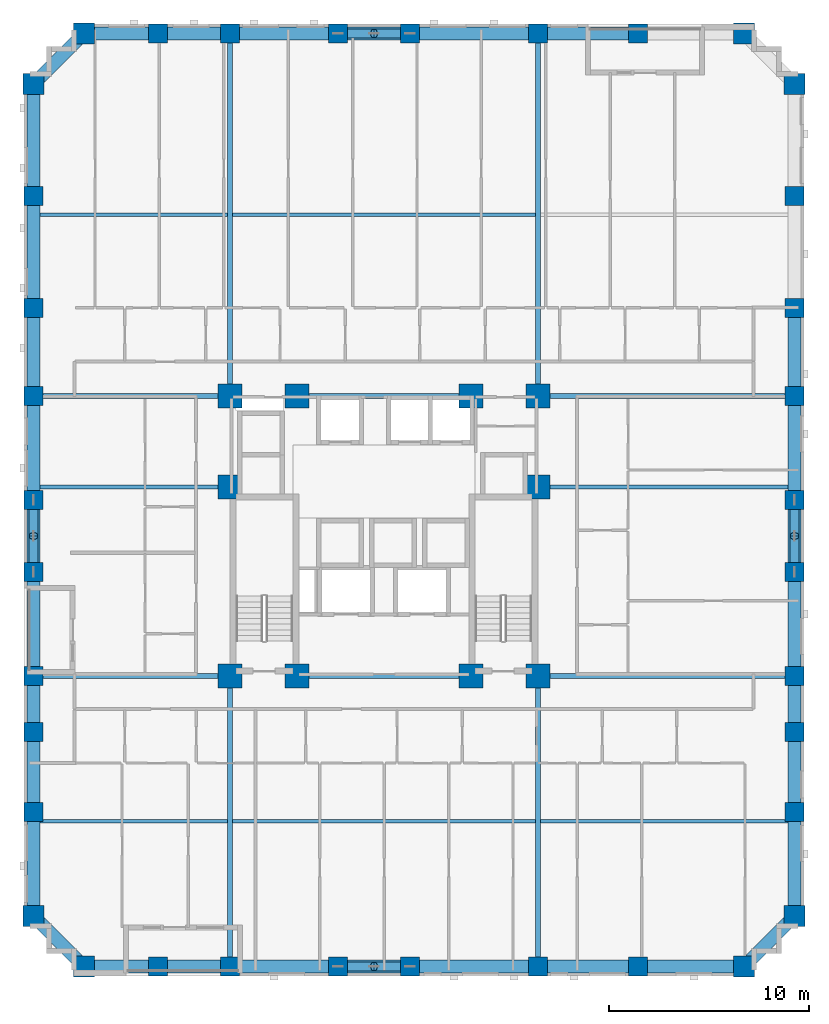
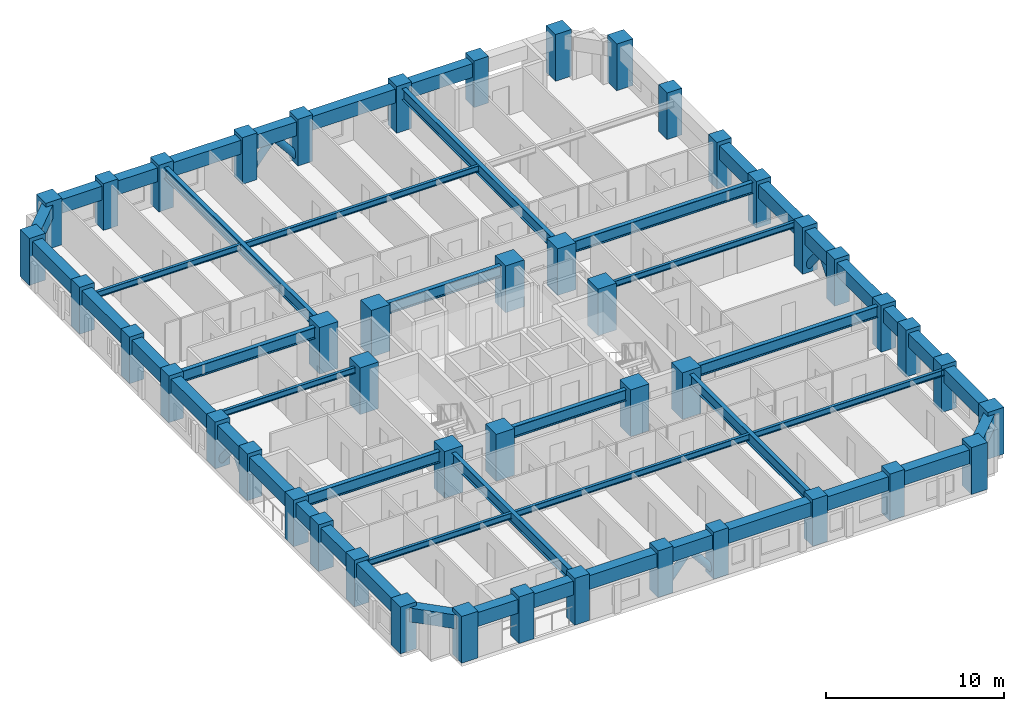
# One storey, part 1 of 14: 49 beams, 46 columns, 8 members.
"""IFC4 building model written with IfcOpenShell, lengths in metres."""

from ifc_helpers import new_model, si_unit, derived_unit, direction, frame, origin, origin_2d, place, context, subcontext, project, spatial, rectangle, hollow_circle, i_section, extrude, material, material_profile, profile_set, type_object, element, save


model = new_model("IFC4")

# Units and contexts
model_context = context("Model", 3, precision=1e-05, world=origin(), true_north=direction((0.0, 1.0)))
body_context = subcontext(model_context, "Body", "Model", "MODEL_VIEW")
ifc_project = project(units=[si_unit("LENGTHUNIT", "METRE"), si_unit("AREAUNIT", "SQUARE_METRE"), si_unit("VOLUMEUNIT", "CUBIC_METRE"), si_unit("PLANEANGLEUNIT", "RADIAN"), si_unit("MASSUNIT", "GRAM", prefix="KILO"), derived_unit("THERMALTRANSMITTANCEUNIT", [(si_unit("MASSUNIT", "GRAM", prefix="KILO"), 1), (si_unit("TIMEUNIT", "SECOND"), -3), (si_unit("THERMODYNAMICTEMPERATUREUNIT", "KELVIN"), -1)])], contexts=[model_context])

# Site, building, storey
site_placement = place(None, origin())
site = spatial("IfcSite", under=ifc_project, at=site_placement, CompositionType="ELEMENT")
building_placement = place(site_placement, origin())
building = spatial("IfcBuilding", under=site, at=building_placement, Name="Korrvale Station Residences", CompositionType="ELEMENT")
storey_placement = place(building_placement, frame((0.0, 0.0, 41.800048828125)))
storey = spatial("IfcBuildingStorey", under=building, at=storey_placement, Name="L10", CompositionType="ELEMENT", Elevation=41.800048828125)

# Columns
ifc_material_1 = material(Name="Concrete C70/85", Category="concrete")
ifc_material_profile_1 = material_profile(ifc_material_1, rectangle(XDim=1.050048828125, YDim=1.050048828125, at=origin_2d()), Name="RC1050x1050")
ifc_profile_set_1 = profile_set([ifc_material_profile_1], Name="Concrete C70/85")
column_type_1 = type_object("IfcColumnType", Name="COL-C-RC1050x1050-C7085", PredefinedType="COLUMN", material=ifc_profile_set_1)
for number, where, z_axis, x_axis, name in (
    (1, (10.5, 0.47998046875, 0.0), (0.0, 0.0, 1.0), (1.0, 0.0, 0.0), "L10 Bundled-Tube South Column 01"),
    (2, (43.5, 0.47998046875, 0.0), (0.0, 0.0, 1.0), (1.0, 0.0, 0.0), "L10 Bundled-Tube South Column 08"),
    (3, (10.5, 47.1201171875, 0.0), (0.0, 0.0, 1.0), (1.0, 0.0, 0.0), "L10 Bundled-Tube North Column 09"),
    (4, (43.5, 47.1201171875, 0.0), (0.0, 0.0, 1.0), (1.0, 0.0, 0.0), "L10 Bundled-Tube North Column 16"),
    (5, (7.97998046875, 3.0, 0.0), (0.0, 0.0, 1.0), (1.0, 0.0, 0.0), "L10 Bundled-Tube West Column 17"),
    (6, (7.97998046875, 44.60009765625, 0.0), (0.0, 0.0, 1.0), (1.0, 0.0, 0.0), "L10 Bundled-Tube West Column 26"),
    (7, (46.02001953125, 3.0, 0.0), (0.0, 0.0, 1.0), (1.0, 0.0, 0.0), "L10 Bundled-Tube East Column 27"),
    (8, (46.02001953125, 44.60009765625, 0.0), (0.0, 0.0, 1.0), (1.0, 0.0, 0.0), "L10 Bundled-Tube East Column 36"),
):
    element("IfcColumn", number, at=place(storey_placement, frame(where, z_axis=z_axis, x_axis=x_axis)), inside=storey, type_object=column_type_1, Name=name, PredefinedType="COLUMN", context=body_context, shape_type="SweptSolid", body=[
        extrude(rectangle(XDim=1.050048828125, YDim=1.050048828125, at=origin_2d()), origin(), (0.0, 0.0, 1.0), 3.199951171875),
    ])
ifc_material_profile_2 = material_profile(ifc_material_1, rectangle(XDim=1.199951171875, YDim=1.199951171875, at=origin_2d()), Name="RC1200x1200")
ifc_profile_set_2 = profile_set([ifc_material_profile_2], Name="Concrete C70/85")
column_type_2 = type_object("IfcColumnType", Name="COL-C-RC1200x1200-C7085", PredefinedType="COLUMN", material=ifc_profile_set_2)
for number, where, z_axis, x_axis, name in (
    (9, (17.800048828125, 15.0, 0.0), (0.0, 0.0, 1.0), (1.0, 0.0, 0.0), "L10 Core Column 01"),
    (10, (21.14990234375, 15.0, 0.0), (0.0, 0.0, 1.0), (1.0, 0.0, 0.0), "L10 Core Column 02"),
    (11, (29.85009765625, 15.0, 0.0), (0.0, 0.0, 1.0), (1.0, 0.0, 0.0), "L10 Core Column 03"),
    (12, (33.199951171875, 15.0, 0.0), (0.0, 0.0, 1.0), (1.0, 0.0, 0.0), "L10 Core Column 04"),
    (13, (17.800048828125, 29.0, 0.0), (0.0, 0.0, 1.0), (1.0, 0.0, 0.0), "L10 Core Column 05"),
    (14, (21.14990234375, 29.0, 0.0), (0.0, 0.0, 1.0), (1.0, 0.0, 0.0), "L10 Core Column 06"),
    (15, (29.85009765625, 29.0, 0.0), (0.0, 0.0, 1.0), (1.0, 0.0, 0.0), "L10 Core Column 07"),
    (16, (33.199951171875, 29.0, 0.0), (0.0, 0.0, 1.0), (1.0, 0.0, 0.0), "L10 Core Column 08"),
    (17, (17.800048828125, 24.449951171875, 0.0), (0.0, 0.0, 1.0), (1.0, 0.0, 0.0), "L10 Core Column 09"),
    (18, (33.199951171875, 24.449951171875, 0.0), (0.0, 0.0, 1.0), (1.0, 0.0, 0.0), "L10 Core Column 10"),
):
    element("IfcColumn", number, at=place(storey_placement, frame(where, z_axis=z_axis, x_axis=x_axis)), inside=storey, type_object=column_type_2, Name=name, PredefinedType="COLUMN", context=body_context, shape_type="SweptSolid", body=[
        extrude(rectangle(XDim=1.199951171875, YDim=1.199951171875, at=origin_2d()), origin(), (0.0, 0.0, 1.0), 3.199951171875),
    ])
ifc_material_profile_3 = material_profile(ifc_material_1, rectangle(XDim=0.949951171875, YDim=0.949951171875, at=origin_2d()), Name="RC950x950")
ifc_profile_set_3 = profile_set([ifc_material_profile_3], Name="Concrete C70/85")
column_type_3 = type_object("IfcColumnType", Name="COL-C-RC950x950-C7085", PredefinedType="COLUMN", material=ifc_profile_set_3)
for number, where, z_axis, x_axis, name in (
    (19, (14.199951171875, 0.47998046875, 0.0), (0.0, 0.0, 1.0), (1.0, 0.0, 0.0), "L10 Bundled-Tube South Column 02"),
    (20, (17.800048828125, 0.47998046875, 0.0), (0.0, 0.0, 1.0), (1.0, 0.0, 0.0), "L10 Bundled-Tube South Column 03"),
    (21, (23.199951171875, 0.47998046875, 0.0), (0.0, 0.0, 1.0), (1.0, 0.0, 0.0), "L10 Bundled-Tube South Column 04"),
    (22, (26.800048828125, 0.47998046875, 0.0), (0.0, 0.0, 1.0), (1.0, 0.0, 0.0), "L10 Bundled-Tube South Column 05"),
    (23, (33.199951171875, 0.47998046875, 0.0), (0.0, 0.0, 1.0), (1.0, 0.0, 0.0), "L10 Bundled-Tube South Column 06"),
    (24, (38.199951171875, 0.47998046875, 0.0), (0.0, 0.0, 1.0), (1.0, 0.0, 0.0), "L10 Bundled-Tube South Column 07"),
    (25, (14.199951171875, 47.1201171875, 0.0), (0.0, 0.0, 1.0), (1.0, 0.0, 0.0), "L10 Bundled-Tube North Column 10"),
    (26, (17.800048828125, 47.1201171875, 0.0), (0.0, 0.0, 1.0), (1.0, 0.0, 0.0), "L10 Bundled-Tube North Column 11"),
    (27, (23.199951171875, 47.1201171875, 0.0), (0.0, 0.0, 1.0), (1.0, 0.0, 0.0), "L10 Bundled-Tube North Column 12"),
    (28, (26.800048828125, 47.1201171875, 0.0), (0.0, 0.0, 1.0), (1.0, 0.0, 0.0), "L10 Bundled-Tube North Column 13"),
    (29, (33.199951171875, 47.1201171875, 0.0), (0.0, 0.0, 1.0), (1.0, 0.0, 0.0), "L10 Bundled-Tube North Column 14"),
    (30, (38.199951171875, 47.1201171875, 0.0), (0.0, 0.0, 1.0), (1.0, 0.0, 0.0), "L10 Bundled-Tube North Column 15"),
    (31, (7.97998046875, 8.199951171875, 0.0), (0.0, 0.0, 1.0), (1.0, 0.0, 0.0), "L10 Bundled-Tube West Column 18"),
    (32, (7.97998046875, 12.199951171875, 0.0), (0.0, 0.0, 1.0), (1.0, 0.0, 0.0), "L10 Bundled-Tube West Column 19"),
    (33, (7.97998046875, 15.0, 0.0), (0.0, 0.0, 1.0), (1.0, 0.0, 0.0), "L10 Bundled-Tube West Column 20"),
    (34, (7.97998046875, 20.199951171875, 0.0), (0.0, 0.0, 1.0), (1.0, 0.0, 0.0), "L10 Bundled-Tube West Column 21"),
    (35, (7.97998046875, 23.800048828125, 0.0), (0.0, 0.0, 1.0), (1.0, 0.0, 0.0), "L10 Bundled-Tube West Column 22"),
    (36, (7.97998046875, 29.0, 0.0), (0.0, 0.0, 1.0), (1.0, 0.0, 0.0), "L10 Bundled-Tube West Column 23"),
    (37, (7.97998046875, 33.39990234375, 0.0), (0.0, 0.0, 1.0), (1.0, 0.0, 0.0), "L10 Bundled-Tube West Column 24"),
    (38, (7.97998046875, 39.0, 0.0), (0.0, 0.0, 1.0), (1.0, 0.0, 0.0), "L10 Bundled-Tube West Column 25"),
    (39, (46.02001953125, 8.199951171875, 0.0), (0.0, 0.0, 1.0), (1.0, 0.0, 0.0), "L10 Bundled-Tube East Column 28"),
    (40, (46.02001953125, 12.199951171875, 0.0), (0.0, 0.0, 1.0), (1.0, 0.0, 0.0), "L10 Bundled-Tube East Column 29"),
    (41, (46.02001953125, 15.0, 0.0), (0.0, 0.0, 1.0), (1.0, 0.0, 0.0), "L10 Bundled-Tube East Column 30"),
    (42, (46.02001953125, 20.199951171875, 0.0), (0.0, 0.0, 1.0), (1.0, 0.0, 0.0), "L10 Bundled-Tube East Column 31"),
    (43, (46.02001953125, 23.800048828125, 0.0), (0.0, 0.0, 1.0), (1.0, 0.0, 0.0), "L10 Bundled-Tube East Column 32"),
    (44, (46.02001953125, 29.0, 0.0), (0.0, 0.0, 1.0), (1.0, 0.0, 0.0), "L10 Bundled-Tube East Column 33"),
    (45, (46.02001953125, 33.39990234375, 0.0), (0.0, 0.0, 1.0), (1.0, 0.0, 0.0), "L10 Bundled-Tube East Column 34"),
    (46, (46.02001953125, 39.0, 0.0), (0.0, 0.0, 1.0), (1.0, 0.0, 0.0), "L10 Bundled-Tube East Column 35"),
):
    element("IfcColumn", number, at=place(storey_placement, frame(where, z_axis=z_axis, x_axis=x_axis)), inside=storey, type_object=column_type_3, Name=name, PredefinedType="COLUMN", context=body_context, shape_type="SweptSolid", body=[
        extrude(rectangle(XDim=0.949951171875, YDim=0.949951171875, at=origin_2d()), origin(), (0.0, 0.0, 1.0), 3.199951171875),
    ])

# Beams
ifc_material_2 = material(Name="Steel S355", Category="steel")
ifc_material_profile_4 = material_profile(ifc_material_2, i_section(OverallWidth=0.26806640625, OverallDepth=0.77001953125, WebThickness=0.015625, FlangeThickness=0.025390625, FilletRadius=0.02197265625, at=origin_2d()), Name="W760x196")
ifc_profile_set_4 = profile_set([ifc_material_profile_4], Name="Steel S355")
beam_type_1 = type_object("IfcBeamType", Name="BM-BM-W760x196-S355", PredefinedType="BEAM", material=ifc_profile_set_4)
for number, where, z_axis, x_axis, name in (
    (47, (17.800048828125, 0.47998046875, 2.554931640625), (0.0, 1.0, 0.0), (-1.0, 0.0, 0.0), "L10 Bundled-Tube Web Girder 01"),
    (48, (33.199951171875, 0.47998046875, 2.554931640625), (0.0, 1.0, 0.0), (-1.0, 0.0, 0.0), "L10 Bundled-Tube Web Girder 02"),
):
    element("IfcBeam", number, at=place(storey_placement, frame(where, z_axis=z_axis, x_axis=x_axis)), inside=storey, type_object=beam_type_1, Name=name, PredefinedType="BEAM", context=body_context, shape_type="SweptSolid", body=[
        extrude(i_section(OverallWidth=0.26806640625, OverallDepth=0.77001953125, WebThickness=0.015625, FlangeThickness=0.025390625, FilletRadius=0.02197265625, at=origin_2d()), origin(), (0.0, 0.0, 1.0), 14.52001953125),
    ])
for number, where, z_axis, x_axis, name in (
    (49, (17.800048828125, 29.0, 2.554931640625), (0.0, 1.0, 0.0), (-1.0, 0.0, 0.0), "L10 Bundled-Tube Web Girder 03"),
    (50, (33.199951171875, 29.0, 2.554931640625), (0.0, 1.0, 0.0), (-1.0, 0.0, 0.0), "L10 Bundled-Tube Web Girder 04"),
):
    element("IfcBeam", number, at=place(storey_placement, frame(where, z_axis=z_axis, x_axis=x_axis)), inside=storey, type_object=beam_type_1, Name=name, PredefinedType="BEAM", context=body_context, shape_type="SweptSolid", body=[
        extrude(i_section(OverallWidth=0.26806640625, OverallDepth=0.77001953125, WebThickness=0.015625, FlangeThickness=0.025390625, FilletRadius=0.02197265625, at=origin_2d()), origin(), (0.0, 0.0, 1.0), 18.1201171875),
    ])
beam_1_placement = place(storey_placement, frame((7.97998046875, 15.0, 2.554931640625), z_axis=(1.0, 0.0, 0.0), x_axis=(0.0, 1.0, 0.0)))
element("IfcBeam", 51, at=beam_1_placement, inside=storey, type_object=beam_type_1, Name="L10 Bundled-Tube Web Girder 05", PredefinedType="BEAM", context=body_context, shape_type="SweptSolid", body=[
    extrude(i_section(OverallWidth=0.26806640625, OverallDepth=0.77001953125, WebThickness=0.015625, FlangeThickness=0.025390625, FilletRadius=0.02197265625, at=origin_2d()), origin(), (0.0, 0.0, 1.0), 9.820068359375),
])
beam_2_placement = place(storey_placement, frame((33.199951171875, 15.0, 2.554931640625), z_axis=(1.0, 0.0, 0.0), x_axis=(0.0, 1.0, 0.0)))
element("IfcBeam", 52, at=beam_2_placement, inside=storey, type_object=beam_type_1, Name="L10 Bundled-Tube Web Girder 06", PredefinedType="BEAM", context=body_context, shape_type="SweptSolid", body=[
    extrude(i_section(OverallWidth=0.26806640625, OverallDepth=0.77001953125, WebThickness=0.015625, FlangeThickness=0.025390625, FilletRadius=0.02197265625, at=origin_2d()), origin(), (0.0, 0.0, 1.0), 12.820068359375),
])
beam_3_placement = place(storey_placement, frame((7.97998046875, 29.0, 2.554931640625), z_axis=(1.0, 0.0, 0.0), x_axis=(0.0, 1.0, 0.0)))
element("IfcBeam", 53, at=beam_3_placement, inside=storey, type_object=beam_type_1, Name="L10 Bundled-Tube Web Girder 07", PredefinedType="BEAM", context=body_context, shape_type="SweptSolid", body=[
    extrude(i_section(OverallWidth=0.26806640625, OverallDepth=0.77001953125, WebThickness=0.015625, FlangeThickness=0.025390625, FilletRadius=0.02197265625, at=origin_2d()), origin(), (0.0, 0.0, 1.0), 9.820068359375),
])
beam_4_placement = place(storey_placement, frame((33.199951171875, 29.0, 2.554931640625), z_axis=(1.0, 0.0, 0.0), x_axis=(0.0, 1.0, 0.0)))
element("IfcBeam", 54, at=beam_4_placement, inside=storey, type_object=beam_type_1, Name="L10 Bundled-Tube Web Girder 08", PredefinedType="BEAM", context=body_context, shape_type="SweptSolid", body=[
    extrude(i_section(OverallWidth=0.26806640625, OverallDepth=0.77001953125, WebThickness=0.015625, FlangeThickness=0.025390625, FilletRadius=0.02197265625, at=origin_2d()), origin(), (0.0, 0.0, 1.0), 12.820068359375),
])
for number, where, z_axis, x_axis, name in (
    (55, (21.14990234375, 15.0, 2.554931640625), (1.0, 0.0, 0.0), (0.0, 1.0, 0.0), "L10 Bundled-Tube Web Girder 09"),
    (56, (21.14990234375, 29.0, 2.554931640625), (1.0, 0.0, 0.0), (0.0, 1.0, 0.0), "L10 Bundled-Tube Web Girder 10"),
):
    element("IfcBeam", number, at=place(storey_placement, frame(where, z_axis=z_axis, x_axis=x_axis)), inside=storey, type_object=beam_type_1, Name=name, PredefinedType="BEAM", context=body_context, shape_type="SweptSolid", body=[
        extrude(i_section(OverallWidth=0.26806640625, OverallDepth=0.77001953125, WebThickness=0.015625, FlangeThickness=0.025390625, FilletRadius=0.02197265625, at=origin_2d()), origin(), (0.0, 0.0, 1.0), 8.7001953125),
    ])
ifc_material_profile_5 = material_profile(ifc_material_2, i_section(OverallWidth=0.180908203125, OverallDepth=0.4169921875, WebThickness=0.010986328125, FlangeThickness=0.018310546875, FilletRadius=0.01611328125, at=origin_2d()), Name="W410x85")
ifc_profile_set_5 = profile_set([ifc_material_profile_5], Name="Steel S355")
beam_type_2 = type_object("IfcBeamType", Name="BM-JST-W410x85-S355", PredefinedType="JOIST", material=ifc_profile_set_5)
beam_5_placement = place(storey_placement, frame((8.304931640625, 7.739990234375, 2.7314453125), z_axis=(1.0, 0.0, 0.0), x_axis=(0.0, 1.0, 0.0)))
element("IfcBeam", 57, at=beam_5_placement, inside=storey, type_object=beam_type_2, Name="L10 Floor Framing Joist 01", PredefinedType="JOIST", context=body_context, shape_type="SweptSolid", body=[
    extrude(i_section(OverallWidth=0.180908203125, OverallDepth=0.4169921875, WebThickness=0.010986328125, FlangeThickness=0.018310546875, FilletRadius=0.01611328125, at=origin_2d()), origin(), (0.0, 0.0, 1.0), 9.361083984375),
])
beam_6_placement = place(storey_placement, frame((17.93408203125, 7.739990234375, 2.7314453125), z_axis=(1.0, 0.0, 0.0), x_axis=(0.0, 1.0, 0.0)))
element("IfcBeam", 58, at=beam_6_placement, inside=storey, type_object=beam_type_2, Name="L10 Floor Framing Joist 02", PredefinedType="JOIST", context=body_context, shape_type="SweptSolid", body=[
    extrude(i_section(OverallWidth=0.180908203125, OverallDepth=0.4169921875, WebThickness=0.010986328125, FlangeThickness=0.018310546875, FilletRadius=0.01611328125, at=origin_2d()), origin(), (0.0, 0.0, 1.0), 15.1318359375),
])
beam_7_placement = place(storey_placement, frame((33.333984375, 7.739990234375, 2.7314453125), z_axis=(1.0, 0.0, 0.0), x_axis=(0.0, 1.0, 0.0)))
element("IfcBeam", 59, at=beam_7_placement, inside=storey, type_object=beam_type_2, Name="L10 Floor Framing Joist 03", PredefinedType="JOIST", context=body_context, shape_type="SweptSolid", body=[
    extrude(i_section(OverallWidth=0.180908203125, OverallDepth=0.4169921875, WebThickness=0.010986328125, FlangeThickness=0.018310546875, FilletRadius=0.01611328125, at=origin_2d()), origin(), (0.0, 0.0, 1.0), 12.361083984375),
])
beam_8_placement = place(storey_placement, frame((8.304931640625, 38.06005859375, 2.7314453125), z_axis=(1.0, 0.0, 0.0), x_axis=(0.0, 1.0, 0.0)))
element("IfcBeam", 60, at=beam_8_placement, inside=storey, type_object=beam_type_2, Name="L10 Floor Framing Joist 04", PredefinedType="JOIST", context=body_context, shape_type="SweptSolid", body=[
    extrude(i_section(OverallWidth=0.180908203125, OverallDepth=0.4169921875, WebThickness=0.010986328125, FlangeThickness=0.018310546875, FilletRadius=0.01611328125, at=origin_2d()), origin(), (0.0, 0.0, 1.0), 9.361083984375),
])
beam_9_placement = place(storey_placement, frame((17.93408203125, 38.06005859375, 2.7314453125), z_axis=(1.0, 0.0, 0.0), x_axis=(0.0, 1.0, 0.0)))
element("IfcBeam", 61, at=beam_9_placement, inside=storey, type_object=beam_type_2, Name="L10 Floor Framing Joist 05", PredefinedType="JOIST", context=body_context, shape_type="SweptSolid", body=[
    extrude(i_section(OverallWidth=0.180908203125, OverallDepth=0.4169921875, WebThickness=0.010986328125, FlangeThickness=0.018310546875, FilletRadius=0.01611328125, at=origin_2d()), origin(), (0.0, 0.0, 1.0), 15.1318359375),
])
beam_10_placement = place(storey_placement, frame((33.199951171875, 24.449951171875, 2.7314453125), z_axis=(1.0, 0.0, 0.0), x_axis=(0.0, 1.0, 0.0)))
element("IfcBeam", 62, at=beam_10_placement, inside=storey, type_object=beam_type_2, Name="L10 Floor Framing Joist 07", PredefinedType="JOIST", context=body_context, shape_type="SweptSolid", body=[
    extrude(i_section(OverallWidth=0.180908203125, OverallDepth=0.4169921875, WebThickness=0.010986328125, FlangeThickness=0.018310546875, FilletRadius=0.01611328125, at=origin_2d()), origin(), (0.0, 0.0, 1.0), 12.4951171875),
])
beam_11_placement = place(storey_placement, frame((8.304931640625, 24.449951171875, 2.7314453125), z_axis=(1.0, 0.0, 0.0), x_axis=(0.0, 1.0, 0.0)))
element("IfcBeam", 63, at=beam_11_placement, inside=storey, type_object=beam_type_2, Name="L10 Floor Framing Joist 08", PredefinedType="JOIST", context=body_context, shape_type="SweptSolid", body=[
    extrude(i_section(OverallWidth=0.180908203125, OverallDepth=0.4169921875, WebThickness=0.010986328125, FlangeThickness=0.018310546875, FilletRadius=0.01611328125, at=origin_2d()), origin(), (0.0, 0.0, 1.0), 9.4951171875),
])
ifc_material_profile_6 = material_profile(ifc_material_1, rectangle(XDim=0.64990234375, YDim=0.949951171875, at=origin_2d()), Name="RCB650x950")
ifc_profile_set_6 = profile_set([ifc_material_profile_6], Name="Concrete C70/85")
beam_type_3 = type_object("IfcBeamType", Name="BM-SPB-RCB650x950-C7085", PredefinedType="SPANDREL", material=ifc_profile_set_6)
beam_12_placement = place(storey_placement, frame((10.5, 0.47998046875, 2.46484375), z_axis=(1.0, 0.0, 0.0), x_axis=(0.0, 1.0, 0.0)))
element("IfcBeam", 64, at=beam_12_placement, inside=storey, type_object=beam_type_3, Name="L10 South Tube Spandrel 01", PredefinedType="SPANDREL", context=body_context, shape_type="SweptSolid", body=[
    extrude(rectangle(XDim=0.64990234375, YDim=0.949951171875, at=origin_2d()), origin(), (0.0, 0.0, 1.0), 3.699951171875),
])
beam_13_placement = place(storey_placement, frame((14.199951171875, 0.47998046875, 2.46484375), z_axis=(1.0, 0.0, 0.0), x_axis=(0.0, 1.0, 0.0)))
element("IfcBeam", 65, at=beam_13_placement, inside=storey, type_object=beam_type_3, Name="L10 South Tube Spandrel 02", PredefinedType="SPANDREL", context=body_context, shape_type="SweptSolid", body=[
    extrude(rectangle(XDim=0.64990234375, YDim=0.949951171875, at=origin_2d()), origin(), (0.0, 0.0, 1.0), 3.60009765625),
])
beam_14_placement = place(storey_placement, frame((17.800048828125, 0.47998046875, 2.46484375), z_axis=(1.0, 0.0, 0.0), x_axis=(0.0, 1.0, 0.0)))
element("IfcBeam", 66, at=beam_14_placement, inside=storey, type_object=beam_type_3, Name="L10 South Tube Spandrel 03", PredefinedType="SPANDREL", context=body_context, shape_type="SweptSolid", body=[
    extrude(rectangle(XDim=0.64990234375, YDim=0.949951171875, at=origin_2d()), origin(), (0.0, 0.0, 1.0), 5.39990234375),
])
beam_15_placement = place(storey_placement, frame((23.199951171875, 0.47998046875, 2.46484375), z_axis=(1.0, 0.0, 0.0), x_axis=(0.0, 1.0, 0.0)))
element("IfcBeam", 67, at=beam_15_placement, inside=storey, type_object=beam_type_3, Name="L10 South Tube Spandrel 04", PredefinedType="SPANDREL", context=body_context, shape_type="SweptSolid", body=[
    extrude(rectangle(XDim=0.64990234375, YDim=0.949951171875, at=origin_2d()), origin(), (0.0, 0.0, 1.0), 3.60009765625),
])
beam_16_placement = place(storey_placement, frame((26.800048828125, 0.47998046875, 2.46484375), z_axis=(1.0, 0.0, 0.0), x_axis=(0.0, 1.0, 0.0)))
element("IfcBeam", 68, at=beam_16_placement, inside=storey, type_object=beam_type_3, Name="L10 South Tube Spandrel 05", PredefinedType="SPANDREL", context=body_context, shape_type="SweptSolid", body=[
    extrude(rectangle(XDim=0.64990234375, YDim=0.949951171875, at=origin_2d()), origin(), (0.0, 0.0, 1.0), 6.39990234375),
])
beam_17_placement = place(storey_placement, frame((33.199951171875, 0.47998046875, 2.46484375), z_axis=(1.0, 0.0, 0.0), x_axis=(0.0, 1.0, 0.0)))
element("IfcBeam", 69, at=beam_17_placement, inside=storey, type_object=beam_type_3, Name="L10 South Tube Spandrel 06", PredefinedType="SPANDREL", context=body_context, shape_type="SweptSolid", body=[
    extrude(rectangle(XDim=0.64990234375, YDim=0.949951171875, at=origin_2d()), origin(), (0.0, 0.0, 1.0), 5.0),
])
beam_18_placement = place(storey_placement, frame((38.199951171875, 0.47998046875, 2.46484375), z_axis=(1.0, 0.0, 0.0), x_axis=(0.0, 1.0, 0.0)))
element("IfcBeam", 70, at=beam_18_placement, inside=storey, type_object=beam_type_3, Name="L10 South Tube Spandrel 07", PredefinedType="SPANDREL", context=body_context, shape_type="SweptSolid", body=[
    extrude(rectangle(XDim=0.64990234375, YDim=0.949951171875, at=origin_2d()), origin(), (0.0, 0.0, 1.0), 5.300048828125),
])
beam_19_placement = place(storey_placement, frame((10.5, 47.1201171875, 2.46484375), z_axis=(1.0, 0.0, 0.0), x_axis=(0.0, 1.0, 0.0)))
element("IfcBeam", 71, at=beam_19_placement, inside=storey, type_object=beam_type_3, Name="L10 North Tube Spandrel 08", PredefinedType="SPANDREL", context=body_context, shape_type="SweptSolid", body=[
    extrude(rectangle(XDim=0.64990234375, YDim=0.949951171875, at=origin_2d()), origin(), (0.0, 0.0, 1.0), 3.699951171875),
])
beam_20_placement = place(storey_placement, frame((14.199951171875, 47.1201171875, 2.46484375), z_axis=(1.0, 0.0, 0.0), x_axis=(0.0, 1.0, 0.0)))
element("IfcBeam", 72, at=beam_20_placement, inside=storey, type_object=beam_type_3, Name="L10 North Tube Spandrel 09", PredefinedType="SPANDREL", context=body_context, shape_type="SweptSolid", body=[
    extrude(rectangle(XDim=0.64990234375, YDim=0.949951171875, at=origin_2d()), origin(), (0.0, 0.0, 1.0), 3.60009765625),
])
beam_21_placement = place(storey_placement, frame((17.800048828125, 47.1201171875, 2.46484375), z_axis=(1.0, 0.0, 0.0), x_axis=(0.0, 1.0, 0.0)))
element("IfcBeam", 73, at=beam_21_placement, inside=storey, type_object=beam_type_3, Name="L10 North Tube Spandrel 10", PredefinedType="SPANDREL", context=body_context, shape_type="SweptSolid", body=[
    extrude(rectangle(XDim=0.64990234375, YDim=0.949951171875, at=origin_2d()), origin(), (0.0, 0.0, 1.0), 5.39990234375),
])
beam_22_placement = place(storey_placement, frame((23.199951171875, 47.1201171875, 2.46484375), z_axis=(1.0, 0.0, 0.0), x_axis=(0.0, 1.0, 0.0)))
element("IfcBeam", 74, at=beam_22_placement, inside=storey, type_object=beam_type_3, Name="L10 North Tube Spandrel 11", PredefinedType="SPANDREL", context=body_context, shape_type="SweptSolid", body=[
    extrude(rectangle(XDim=0.64990234375, YDim=0.949951171875, at=origin_2d()), origin(), (0.0, 0.0, 1.0), 3.60009765625),
])
beam_23_placement = place(storey_placement, frame((26.800048828125, 47.1201171875, 2.46484375), z_axis=(1.0, 0.0, 0.0), x_axis=(0.0, 1.0, 0.0)))
element("IfcBeam", 75, at=beam_23_placement, inside=storey, type_object=beam_type_3, Name="L10 North Tube Spandrel 12", PredefinedType="SPANDREL", context=body_context, shape_type="SweptSolid", body=[
    extrude(rectangle(XDim=0.64990234375, YDim=0.949951171875, at=origin_2d()), origin(), (0.0, 0.0, 1.0), 6.39990234375),
])
beam_24_placement = place(storey_placement, frame((33.199951171875, 47.1201171875, 2.46484375), z_axis=(1.0, 0.0, 0.0), x_axis=(0.0, 1.0, 0.0)))
element("IfcBeam", 76, at=beam_24_placement, inside=storey, type_object=beam_type_3, Name="L10 North Tube Spandrel 13", PredefinedType="SPANDREL", context=body_context, shape_type="SweptSolid", body=[
    extrude(rectangle(XDim=0.64990234375, YDim=0.949951171875, at=origin_2d()), origin(), (0.0, 0.0, 1.0), 5.0),
])
beam_25_placement = place(storey_placement, frame((7.97998046875, 3.0, 2.46484375), z_axis=(0.0, 1.0, 0.0), x_axis=(-1.0, 0.0, 0.0)))
element("IfcBeam", 77, at=beam_25_placement, inside=storey, type_object=beam_type_3, Name="L10 West Tube Spandrel 15", PredefinedType="SPANDREL", context=body_context, shape_type="SweptSolid", body=[
    extrude(rectangle(XDim=0.64990234375, YDim=0.949951171875, at=origin_2d()), origin(), (0.0, 0.0, 1.0), 5.199951171875),
])
beam_26_placement = place(storey_placement, frame((7.97998046875, 8.199951171875, 2.46484375), z_axis=(0.0, 1.0, 0.0), x_axis=(-1.0, 0.0, 0.0)))
element("IfcBeam", 78, at=beam_26_placement, inside=storey, type_object=beam_type_3, Name="L10 West Tube Spandrel 16", PredefinedType="SPANDREL", context=body_context, shape_type="SweptSolid", body=[
    extrude(rectangle(XDim=0.64990234375, YDim=0.949951171875, at=origin_2d()), origin(), (0.0, 0.0, 1.0), 4.0),
])
beam_27_placement = place(storey_placement, frame((7.97998046875, 12.199951171875, 2.46484375), z_axis=(0.0, 1.0, 0.0), x_axis=(-1.0, 0.0, 0.0)))
element("IfcBeam", 79, at=beam_27_placement, inside=storey, type_object=beam_type_3, Name="L10 West Tube Spandrel 17", PredefinedType="SPANDREL", context=body_context, shape_type="SweptSolid", body=[
    extrude(rectangle(XDim=0.64990234375, YDim=0.949951171875, at=origin_2d()), origin(), (0.0, 0.0, 1.0), 2.800048828125),
])
beam_28_placement = place(storey_placement, frame((7.97998046875, 15.0, 2.46484375), z_axis=(0.0, 1.0, 0.0), x_axis=(-1.0, 0.0, 0.0)))
element("IfcBeam", 80, at=beam_28_placement, inside=storey, type_object=beam_type_3, Name="L10 West Tube Spandrel 18", PredefinedType="SPANDREL", context=body_context, shape_type="SweptSolid", body=[
    extrude(rectangle(XDim=0.64990234375, YDim=0.949951171875, at=origin_2d()), origin(), (0.0, 0.0, 1.0), 5.199951171875),
])
beam_29_placement = place(storey_placement, frame((7.97998046875, 20.199951171875, 2.46484375), z_axis=(0.0, 1.0, 0.0), x_axis=(-1.0, 0.0, 0.0)))
element("IfcBeam", 81, at=beam_29_placement, inside=storey, type_object=beam_type_3, Name="L10 West Tube Spandrel 19", PredefinedType="SPANDREL", context=body_context, shape_type="SweptSolid", body=[
    extrude(rectangle(XDim=0.64990234375, YDim=0.949951171875, at=origin_2d()), origin(), (0.0, 0.0, 1.0), 3.60009765625),
])
beam_30_placement = place(storey_placement, frame((7.97998046875, 23.800048828125, 2.46484375), z_axis=(0.0, 1.0, 0.0), x_axis=(-1.0, 0.0, 0.0)))
element("IfcBeam", 82, at=beam_30_placement, inside=storey, type_object=beam_type_3, Name="L10 West Tube Spandrel 20", PredefinedType="SPANDREL", context=body_context, shape_type="SweptSolid", body=[
    extrude(rectangle(XDim=0.64990234375, YDim=0.949951171875, at=origin_2d()), origin(), (0.0, 0.0, 1.0), 5.199951171875),
])
beam_31_placement = place(storey_placement, frame((7.97998046875, 29.0, 2.46484375), z_axis=(0.0, 1.0, 0.0), x_axis=(-1.0, 0.0, 0.0)))
element("IfcBeam", 83, at=beam_31_placement, inside=storey, type_object=beam_type_3, Name="L10 West Tube Spandrel 21", PredefinedType="SPANDREL", context=body_context, shape_type="SweptSolid", body=[
    extrude(rectangle(XDim=0.64990234375, YDim=0.949951171875, at=origin_2d()), origin(), (0.0, 0.0, 1.0), 4.39990234375),
])
for number, where, z_axis, x_axis, name in (
    (84, (7.97998046875, 33.39990234375, 2.46484375), (0.0, 1.0, 0.0), (-1.0, 0.0, 0.0), "L10 West Tube Spandrel 22"),
    (85, (7.97998046875, 39.0, 2.46484375), (0.0, 1.0, 0.0), (-1.0, 0.0, 0.0), "L10 West Tube Spandrel 23"),
):
    element("IfcBeam", number, at=place(storey_placement, frame(where, z_axis=z_axis, x_axis=x_axis)), inside=storey, type_object=beam_type_3, Name=name, PredefinedType="SPANDREL", context=body_context, shape_type="SweptSolid", body=[
        extrude(rectangle(XDim=0.64990234375, YDim=0.949951171875, at=origin_2d()), origin(), (0.0, 0.0, 1.0), 5.60009765625),
    ])
beam_32_placement = place(storey_placement, frame((46.02001953125, 3.0, 2.46484375), z_axis=(0.0, 1.0, 0.0), x_axis=(-1.0, 0.0, 0.0)))
element("IfcBeam", 86, at=beam_32_placement, inside=storey, type_object=beam_type_3, Name="L10 East Tube Spandrel 24", PredefinedType="SPANDREL", context=body_context, shape_type="SweptSolid", body=[
    extrude(rectangle(XDim=0.64990234375, YDim=0.949951171875, at=origin_2d()), origin(), (0.0, 0.0, 1.0), 5.199951171875),
])
beam_33_placement = place(storey_placement, frame((46.02001953125, 8.199951171875, 2.46484375), z_axis=(0.0, 1.0, 0.0), x_axis=(-1.0, 0.0, 0.0)))
element("IfcBeam", 87, at=beam_33_placement, inside=storey, type_object=beam_type_3, Name="L10 East Tube Spandrel 25", PredefinedType="SPANDREL", context=body_context, shape_type="SweptSolid", body=[
    extrude(rectangle(XDim=0.64990234375, YDim=0.949951171875, at=origin_2d()), origin(), (0.0, 0.0, 1.0), 4.0),
])
beam_34_placement = place(storey_placement, frame((46.02001953125, 12.199951171875, 2.46484375), z_axis=(0.0, 1.0, 0.0), x_axis=(-1.0, 0.0, 0.0)))
element("IfcBeam", 88, at=beam_34_placement, inside=storey, type_object=beam_type_3, Name="L10 East Tube Spandrel 26", PredefinedType="SPANDREL", context=body_context, shape_type="SweptSolid", body=[
    extrude(rectangle(XDim=0.64990234375, YDim=0.949951171875, at=origin_2d()), origin(), (0.0, 0.0, 1.0), 2.800048828125),
])
beam_35_placement = place(storey_placement, frame((46.02001953125, 15.0, 2.46484375), z_axis=(0.0, 1.0, 0.0), x_axis=(-1.0, 0.0, 0.0)))
element("IfcBeam", 89, at=beam_35_placement, inside=storey, type_object=beam_type_3, Name="L10 East Tube Spandrel 27", PredefinedType="SPANDREL", context=body_context, shape_type="SweptSolid", body=[
    extrude(rectangle(XDim=0.64990234375, YDim=0.949951171875, at=origin_2d()), origin(), (0.0, 0.0, 1.0), 5.199951171875),
])
beam_36_placement = place(storey_placement, frame((46.02001953125, 20.199951171875, 2.46484375), z_axis=(0.0, 1.0, 0.0), x_axis=(-1.0, 0.0, 0.0)))
element("IfcBeam", 90, at=beam_36_placement, inside=storey, type_object=beam_type_3, Name="L10 East Tube Spandrel 28", PredefinedType="SPANDREL", context=body_context, shape_type="SweptSolid", body=[
    extrude(rectangle(XDim=0.64990234375, YDim=0.949951171875, at=origin_2d()), origin(), (0.0, 0.0, 1.0), 3.60009765625),
])
beam_37_placement = place(storey_placement, frame((46.02001953125, 23.800048828125, 2.46484375), z_axis=(0.0, 1.0, 0.0), x_axis=(-1.0, 0.0, 0.0)))
element("IfcBeam", 91, at=beam_37_placement, inside=storey, type_object=beam_type_3, Name="L10 East Tube Spandrel 29", PredefinedType="SPANDREL", context=body_context, shape_type="SweptSolid", body=[
    extrude(rectangle(XDim=0.64990234375, YDim=0.949951171875, at=origin_2d()), origin(), (0.0, 0.0, 1.0), 5.199951171875),
])
beam_38_placement = place(storey_placement, frame((46.02001953125, 29.0, 2.46484375), z_axis=(0.0, 1.0, 0.0), x_axis=(-1.0, 0.0, 0.0)))
element("IfcBeam", 92, at=beam_38_placement, inside=storey, type_object=beam_type_3, Name="L10 East Tube Spandrel 30", PredefinedType="SPANDREL", context=body_context, shape_type="SweptSolid", body=[
    extrude(rectangle(XDim=0.64990234375, YDim=0.949951171875, at=origin_2d()), origin(), (0.0, 0.0, 1.0), 4.39990234375),
])
for number, where, z_axis, x_axis, name in (
    (93, (10.5, 0.47998046875, 2.46484375), (-0.707106781187, 0.707106781187, 0.0), (-0.707106781187, -0.707106781187, 0.0), "L10 Serrated Corner Spandrel 33"),
    (94, (43.5, 0.47998046875, 2.46484375), (0.707106781187, 0.707106781187, 0.0), (-0.707106781187, 0.707106781187, 0.0), "L10 Serrated Corner Spandrel 34"),
    (95, (10.5, 47.1201171875, 2.46484375), (-0.707106781187, -0.707106781187, 0.0), (0.707106781187, -0.707106781187, 0.0), "L10 Serrated Corner Spandrel 36"),
):
    element("IfcBeam", number, at=place(storey_placement, frame(where, z_axis=z_axis, x_axis=x_axis)), inside=storey, type_object=beam_type_3, Name=name, PredefinedType="SPANDREL", context=body_context, shape_type="SweptSolid", body=[
        extrude(rectangle(XDim=0.64990234375, YDim=0.949951171875, at=origin_2d()), origin(), (0.0, 0.0, 1.0), 3.56396484375),
    ])

# Members
ifc_material_profile_7 = material_profile(ifc_material_2, hollow_circle(Radius=0.228515625, WallThickness=0.01904296875, at=origin_2d()), Name="HSS457x19")
ifc_profile_set_7 = profile_set([ifc_material_profile_7], Name="Steel S355")
member_type = type_object("IfcMemberType", Name="MBR-BR-HSS457x19", PredefinedType="BRACE", material=ifc_profile_set_7)
for number, where, z_axis, x_axis, name in (
    (96, (23.199951171875, 0.47998046875, 0.02001953125), (0.634985494602, 0.0, 0.772524058942), (0.0, 1.0, 0.0), "L10 S Perimeter Tube Wind Brace 1"),
    (97, (26.800048828125, 0.47998046875, 0.02001953125), (-0.634985494602, 0.0, 0.772524058942), (0.0, -1.0, 0.0), "L10 S Perimeter Tube Wind Brace 2"),
    (98, (23.199951171875, 47.1201171875, 0.02001953125), (0.634985494602, 0.0, 0.772524058942), (0.0, 1.0, 0.0), "L10 N Perimeter Tube Wind Brace 1"),
    (99, (26.800048828125, 47.1201171875, 0.02001953125), (-0.634985494602, 0.0, 0.772524058942), (0.0, -1.0, 0.0), "L10 N Perimeter Tube Wind Brace 2"),
    (100, (7.97998046875, 20.199951171875, 0.02001953125), (0.0, 0.634985494602, 0.772524058942), (-1.0, 0.0, 0.0), "L10 W Perimeter Tube Wind Brace 1"),
    (101, (7.97998046875, 23.800048828125, 0.02001953125), (0.0, -0.634985494602, 0.772524058942), (1.0, 0.0, 0.0), "L10 W Perimeter Tube Wind Brace 2"),
    (102, (46.02001953125, 20.199951171875, 0.02001953125), (0.0, 0.634985494602, 0.772524058942), (-1.0, 0.0, 0.0), "L10 E Perimeter Tube Wind Brace 1"),
    (103, (46.02001953125, 23.800048828125, 0.02001953125), (0.0, -0.634985494602, 0.772524058942), (1.0, 0.0, 0.0), "L10 E Perimeter Tube Wind Brace 2"),
):
    element("IfcMember", number, at=place(storey_placement, frame(where, z_axis=z_axis, x_axis=x_axis)), inside=storey, type_object=member_type, Name=name, PredefinedType="BRACE", context=body_context, shape_type="SweptSolid", body=[
        extrude(hollow_circle(Radius=0.228515625, WallThickness=0.01904296875, at=origin_2d()), origin(), (0.0, 0.0, 1.0), 2.834716796875),
    ])

save(model, "model.ifc")
